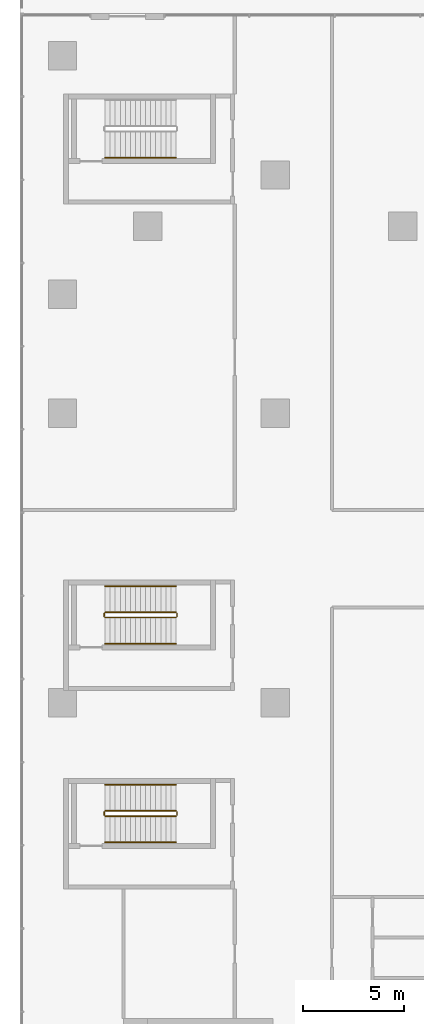
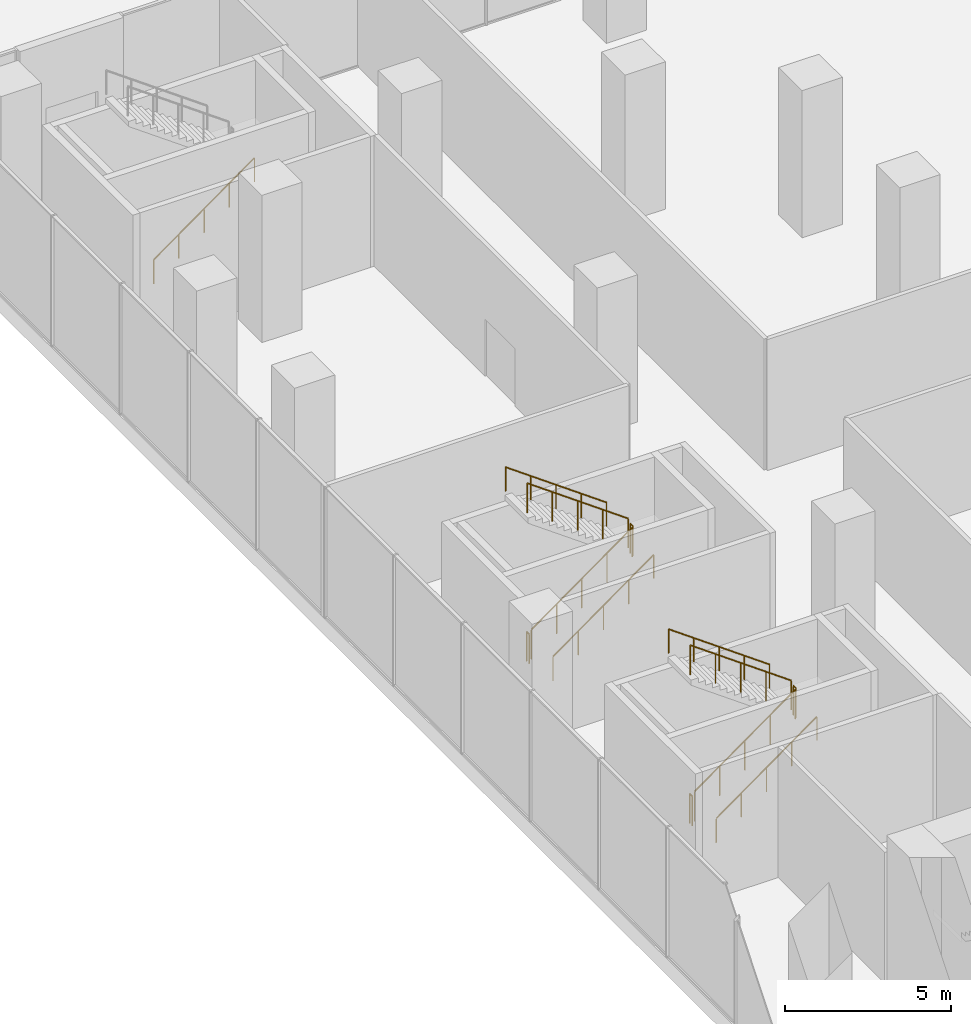
# One storey, part 22 of 24: 13 railings.
"""IFC4 building model written with IfcOpenShell, lengths in metres."""

from ifc_helpers import new_model, si_unit, direction, frame, origin, origin_2d, place, context, subcontext, project, spatial, circle, extrude, source, transform, mapped, material, type_object, element, save


model = new_model("IFC4")

# Units and contexts
model_context = context("Model", 3, precision=1e-05, world=origin(), true_north=direction((0.0, 1.0)))
body_context = subcontext(model_context, "Body", "Model", "MODEL_VIEW")
ifc_project = project(units=[si_unit("LENGTHUNIT", "METRE"), si_unit("AREAUNIT", "SQUARE_METRE"), si_unit("VOLUMEUNIT", "CUBIC_METRE"), si_unit("PLANEANGLEUNIT", "RADIAN"), si_unit("MASSUNIT", "GRAM", prefix="KILO")], contexts=[model_context])

# Site, building, storey
site_placement = place(None, origin())
site = spatial("IfcSite", under=ifc_project, at=site_placement, CompositionType="ELEMENT")
building_placement = place(site_placement, origin())
building = spatial("IfcBuilding", under=site, at=building_placement, Name="Aurelian Terraces", CompositionType="ELEMENT")
storey_placement = place(building_placement, frame((0.0, 0.0, 12.9)))
storey = spatial("IfcBuildingStorey", under=building, at=storey_placement, Name="L02", CompositionType="ELEMENT", Elevation=12.9)

# Railings
ifc_material = material(Name="Stainless steel", Category="steel")
railing_type_1 = type_object("IfcRailingType", Name="Stair guard 1100", PredefinedType="GUARDRAIL", material=ifc_material)
shared_shape_1 = source(origin(), body_context, "Body", "SweptSolid", [
    extrude(circle(Radius=0.024, at=origin_2d()), frame((0.0, 0.0, 1.076), z_axis=(0.0, 1.0, 0.0), x_axis=(-1.0, 0.0, 0.0)), (0.0, 0.0, 1.0), 0.15),
    extrude(circle(Radius=0.021, at=origin_2d()), origin(), (0.0, 0.0, 1.0), 1.052),
    extrude(circle(Radius=0.021, at=origin_2d()), frame((0.0, 0.15, 0.0)), (0.0, 0.0, 1.0), 1.052),
])
for number, where, name in (
    (1, (5.65, 42.05, 2.7), "L02 S3 stair guard 2"),
    (2, (2.05, 42.05, 0.0), "L02 S3 stair guard 4"),
    (3, (5.65, 32.25, 2.7), "L02 S4 stair guard 2"),
    (4, (2.05, 32.25, 0.0), "L02 S4 stair guard 4"),
):
    element("IfcRailing", number, at=place(storey_placement, frame(where)), inside=storey, type_object=railing_type_1, Name=name, PredefinedType="GUARDRAIL", context=body_context, shape_type="MappedRepresentation", body=[
        mapped(shared_shape_1, transform((0.0, 0.0, 0.0), scale=1.0)),
    ])
shared_shape_2 = source(origin(), body_context, "Body", "SweptSolid", [
    extrude(circle(Radius=0.024, at=origin_2d()), frame((0.0, 0.0, 1.076), z_axis=(0.811534341451, 0.0, 0.584304725845), x_axis=(0.0, 1.0, 0.0)), (0.0, 0.0, 1.0), 4.3128),
    extrude(circle(Radius=0.021, at=origin_2d()), origin(), (0.0, 0.0, 1.0), 1.052),
    extrude(circle(Radius=0.021, at=origin_2d()), frame((0.875, 0.0, 0.63)), (0.0, 0.0, 1.0), 1.052),
    extrude(circle(Radius=0.021, at=origin_2d()), frame((1.75, 0.0, 1.26)), (0.0, 0.0, 1.0), 1.052),
    extrude(circle(Radius=0.021, at=origin_2d()), frame((2.625, 0.0, 1.89)), (0.0, 0.0, 1.0), 1.052),
    extrude(circle(Radius=0.021, at=origin_2d()), frame((3.5, 0.0, 2.52)), (0.0, 0.0, 1.0), 1.052),
])
for number, where, name in (
    (5, (2.1, 42.0, 0.18), "L02 S3 stair guard 1"),
    (6, (2.1, 32.2, 0.18), "L02 S4 stair guard 1"),
):
    element("IfcRailing", number, at=place(storey_placement, frame(where)), inside=storey, type_object=railing_type_1, Name=name, PredefinedType="GUARDRAIL", context=body_context, shape_type="MappedRepresentation", body=[
        mapped(shared_shape_2, transform((0.0, 0.0, 0.0), scale=1.0)),
    ])
shared_shape_3 = source(origin(), body_context, "Body", "SweptSolid", [
    extrude(circle(Radius=0.024, at=origin_2d()), frame((0.0, 0.0, 1.076), z_axis=(-0.811534341451, 0.0, 0.584304725845), x_axis=(0.0, -1.0, 0.0)), (0.0, 0.0, 1.0), 4.3128),
    extrude(circle(Radius=0.021, at=origin_2d()), origin(), (0.0, 0.0, 1.0), 1.052),
    extrude(circle(Radius=0.021, at=origin_2d()), frame((-0.875, 0.0, 0.63)), (0.0, 0.0, 1.0), 1.052),
    extrude(circle(Radius=0.021, at=origin_2d()), frame((-1.75, 0.0, 1.26)), (0.0, 0.0, 1.0), 1.052),
    extrude(circle(Radius=0.021, at=origin_2d()), frame((-2.625, 0.0, 1.89)), (0.0, 0.0, 1.0), 1.052),
    extrude(circle(Radius=0.021, at=origin_2d()), frame((-3.5, 0.0, 2.52)), (0.0, 0.0, 1.0), 1.052),
])
for number, where, name in (
    (7, (5.6, 42.25, 2.88), "L02 S3 stair guard 3"),
    (8, (5.6, 32.45, 2.88), "L02 S4 stair guard 3"),
):
    element("IfcRailing", number, at=place(storey_placement, frame(where)), inside=storey, type_object=railing_type_1, Name=name, PredefinedType="GUARDRAIL", context=body_context, shape_type="MappedRepresentation", body=[
        mapped(shared_shape_3, transform((0.0, 0.0, 0.0), scale=1.0)),
    ])
railing_type_2 = type_object("IfcRailingType", Name="Stair handrail", PredefinedType="HANDRAIL", material=ifc_material)
shared_shape_4 = source(origin(), body_context, "Body", "SweptSolid", [
    extrude(circle(Radius=0.024, at=origin_2d()), frame((0.0, 0.0, 0.876), z_axis=(0.811534341451, 0.0, 0.584304725845), x_axis=(0.0, 1.0, 0.0)), (0.0, 0.0, 1.0), 4.3128),
    extrude(circle(Radius=0.021, at=origin_2d()), origin(), (0.0, 0.0, 1.0), 0.852),
    extrude(circle(Radius=0.021, at=origin_2d()), frame((0.875, 0.0, 0.63)), (0.0, 0.0, 1.0), 0.852),
    extrude(circle(Radius=0.021, at=origin_2d()), frame((1.75, 0.0, 1.26)), (0.0, 0.0, 1.0), 0.852),
    extrude(circle(Radius=0.021, at=origin_2d()), frame((2.625, 0.0, 1.89)), (0.0, 0.0, 1.0), 0.852),
    extrude(circle(Radius=0.021, at=origin_2d()), frame((3.5, 0.0, 2.52)), (0.0, 0.0, 1.0), 0.852),
])
for number, where, name in (
    (9, (2.1, 40.7, 0.18), "L02 S3 stair handrail 1"),
    (10, (2.1, 30.9, 0.18), "L02 S4 stair handrail 1"),
    (11, (2.1, 64.7, 0.18), "L02 S5 stair handrail 1"),
):
    element("IfcRailing", number, at=place(storey_placement, frame(where)), inside=storey, type_object=railing_type_2, Name=name, PredefinedType="HANDRAIL", context=body_context, shape_type="MappedRepresentation", body=[
        mapped(shared_shape_4, transform((0.0, 0.0, 0.0), scale=1.0)),
    ])
shared_shape_5 = source(origin(), body_context, "Body", "SweptSolid", [
    extrude(circle(Radius=0.024, at=origin_2d()), frame((0.0, 0.0, 0.876), z_axis=(-0.811534341451, 0.0, 0.584304725845), x_axis=(0.0, -1.0, 0.0)), (0.0, 0.0, 1.0), 4.3128),
    extrude(circle(Radius=0.021, at=origin_2d()), origin(), (0.0, 0.0, 1.0), 0.852),
    extrude(circle(Radius=0.021, at=origin_2d()), frame((-0.875, 0.0, 0.63)), (0.0, 0.0, 1.0), 0.852),
    extrude(circle(Radius=0.021, at=origin_2d()), frame((-1.75, 0.0, 1.26)), (0.0, 0.0, 1.0), 0.852),
    extrude(circle(Radius=0.021, at=origin_2d()), frame((-2.625, 0.0, 1.89)), (0.0, 0.0, 1.0), 0.852),
    extrude(circle(Radius=0.021, at=origin_2d()), frame((-3.5, 0.0, 2.52)), (0.0, 0.0, 1.0), 0.852),
])
for number, where, name in (
    (12, (5.6, 43.55, 2.88), "L02 S3 stair handrail 2"),
    (13, (5.6, 33.75, 2.88), "L02 S4 stair handrail 2"),
):
    element("IfcRailing", number, at=place(storey_placement, frame(where)), inside=storey, type_object=railing_type_2, Name=name, PredefinedType="HANDRAIL", context=body_context, shape_type="MappedRepresentation", body=[
        mapped(shared_shape_5, transform((0.0, 0.0, 0.0), scale=1.0)),
    ])

save(model, "model.ifc")
